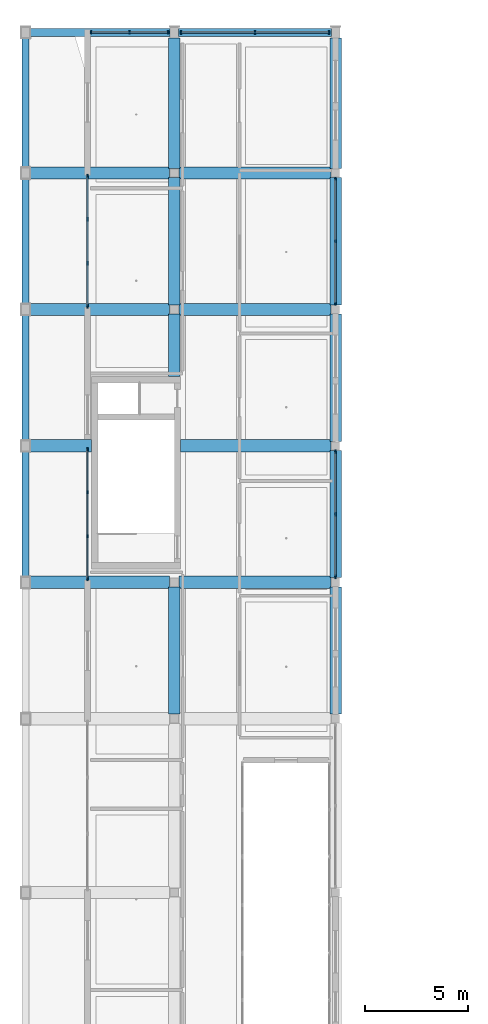
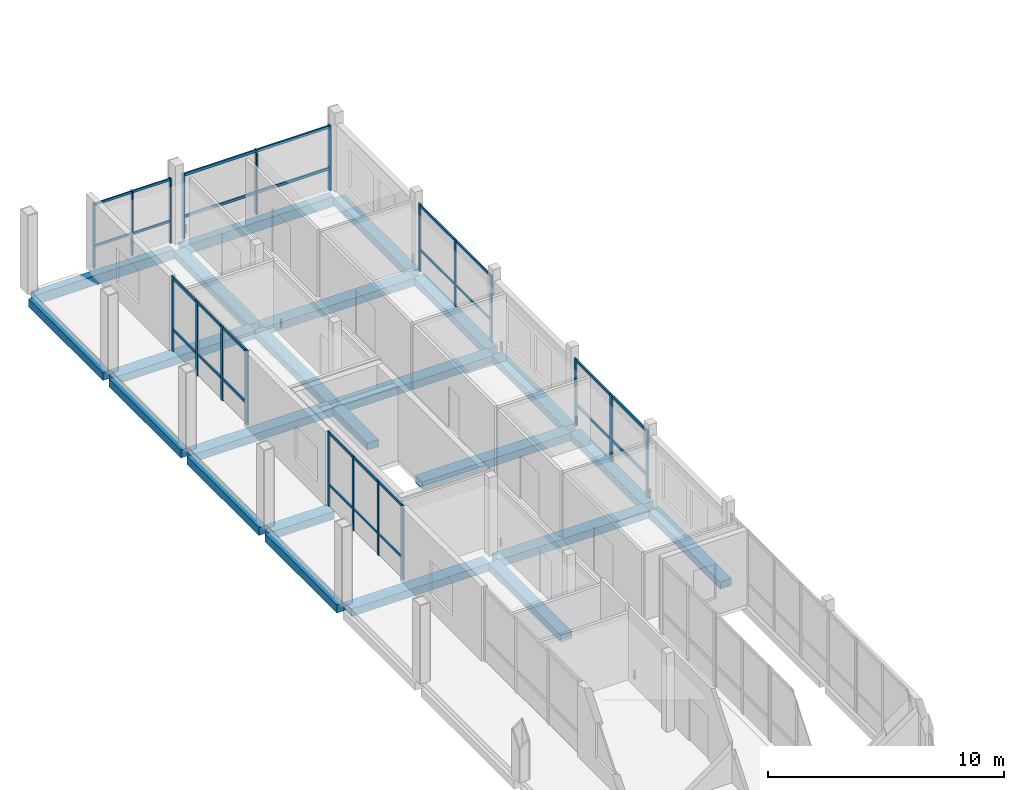
# One storey, part 5 of 24: 32 members, 23 beams, 6 elements without a shape of their own.
"""IFC4 building model written with IfcOpenShell, lengths in metres."""

from ifc_helpers import new_model, si_unit, derived_unit, direction, frame, origin, origin_2d, place, context, subcontext, project, spatial, rectangle, extrude, material, material_profile, profile_set, type_object, element, aggregate, save


model = new_model("IFC4")

# Units and contexts
model_context = context("Model", 3, precision=1e-05, world=origin(), true_north=direction((0.0, 1.0)))
body_context = subcontext(model_context, "Body", "Model", "MODEL_VIEW")
ifc_project = project(units=[si_unit("LENGTHUNIT", "METRE"), si_unit("AREAUNIT", "SQUARE_METRE"), si_unit("VOLUMEUNIT", "CUBIC_METRE"), si_unit("PLANEANGLEUNIT", "RADIAN"), si_unit("MASSUNIT", "GRAM", prefix="KILO"), derived_unit("THERMALTRANSMITTANCEUNIT", [(si_unit("POWERUNIT", "WATT"), 1), (si_unit("LENGTHUNIT", "METRE"), -2), (si_unit("THERMODYNAMICTEMPERATUREUNIT", "KELVIN"), -1)])], contexts=[model_context])

# Site, building, storey
site_placement = place(None, origin())
site = spatial("IfcSite", under=ifc_project, at=site_placement, CompositionType="ELEMENT")
building_placement = place(site_placement, origin())
building = spatial("IfcBuilding", under=site, at=building_placement, Name="Braskholm Square Health Centre", CompositionType="ELEMENT")
storey_placement = place(building_placement, frame((0.0, 0.0, 21.60009765625)))
storey = spatial("IfcBuildingStorey", under=building, at=storey_placement, Name="L06", CompositionType="ELEMENT", Elevation=21.60009765625)

# Curtain wall, members
ifc_material_1 = material(Name="Low-E triple insulating glass (VLT 0.64)", Category="glass")
curtain_wall_type_1 = type_object("IfcCurtainWallType", Name="UnitisedCurtainWall6200x3800", PredefinedType="NOTDEFINED", material=ifc_material_1)
curtain_wall_1_placement = place(storey_placement, origin())
curtain_wall_1 = element("IfcCurtainWall", 1, at=curtain_wall_1_placement, inside=storey, type_object=curtain_wall_type_1, Name="West Crown unitised curtain wall CW-L06-0044", PredefinedType="NOTDEFINED")
ifc_material_2 = material(Name="Architectural bronze anodised aluminium", Category="aluminium")
ifc_material_profile_1 = material_profile(ifc_material_2, rectangle(XDim=0.06494140625, YDim=0.14990234375, at=origin_2d()), Name="ALU-65X150")
ifc_profile_set_1 = profile_set([ifc_material_profile_1], Name="Architectural bronze anodised aluminium")
member_type_1 = type_object("IfcMemberType", Name="CurtainWallMullion65x150", PredefinedType="MULLION", material=ifc_profile_set_1)
member_1_placement = place(storey_placement, frame((7.199951171875, 93.641845703125, 0.0), z_axis=(0.0, 0.0, 1.0), x_axis=(1.0, 0.0, 0.0)))
member_1 = element("IfcMember", 2, at=member_1_placement, type_object=member_type_1, Name="CW-L06-0044 vertical mullion 1", PredefinedType="MULLION", context=body_context, shape_type="SweptSolid", body=[
    extrude(rectangle(XDim=0.06494140625, YDim=0.14990234375, at=origin_2d()), origin(), (0.0, 0.0, 1.0), 3.83984375),
])
member_2_placement = place(storey_placement, frame((7.199951171875, 91.56005859375, 0.0), z_axis=(0.0, 0.0, 1.0), x_axis=(1.0, 0.0, 0.0)))
member_2 = element("IfcMember", 3, at=member_2_placement, type_object=member_type_1, Name="CW-L06-0044 vertical mullion 2", PredefinedType="MULLION", context=body_context, shape_type="SweptSolid", body=[
    extrude(rectangle(XDim=0.06494140625, YDim=0.14990234375, at=origin_2d()), origin(), (0.0, 0.0, 1.0), 3.83984375),
])
member_3_placement = place(storey_placement, frame((7.199951171875, 89.43994140625, 0.0), z_axis=(0.0, 0.0, 1.0), x_axis=(1.0, 0.0, 0.0)))
member_3 = element("IfcMember", 4, at=member_3_placement, type_object=member_type_1, Name="CW-L06-0044 vertical mullion 3", PredefinedType="MULLION", context=body_context, shape_type="SweptSolid", body=[
    extrude(rectangle(XDim=0.06494140625, YDim=0.14990234375, at=origin_2d()), origin(), (0.0, 0.0, 1.0), 3.83984375),
])
member_4_placement = place(storey_placement, frame((7.199951171875, 87.358154296875, 0.0), z_axis=(0.0, 0.0, 1.0), x_axis=(1.0, 0.0, 0.0)))
member_4 = element("IfcMember", 5, at=member_4_placement, type_object=member_type_1, Name="CW-L06-0044 vertical mullion 4", PredefinedType="MULLION", context=body_context, shape_type="SweptSolid", body=[
    extrude(rectangle(XDim=0.06494140625, YDim=0.14990234375, at=origin_2d()), origin(), (0.0, 0.0, 1.0), 3.83984375),
])

curtain_wall_type_2 = type_object("IfcCurtainWallType", Name="UnitisedCurtainWall6200x3650", PredefinedType="NOTDEFINED", material=ifc_material_1)
curtain_wall_2_placement = place(storey_placement, origin())
curtain_wall_2 = element("IfcCurtainWall", 6, at=curtain_wall_2_placement, inside=storey, type_object=curtain_wall_type_2, Name="West Valley unitised curtain wall CW-L06-0116", PredefinedType="NOTDEFINED")
member_5_placement = place(storey_placement, frame((19.199951171875, 100.6767578125, 0.0), z_axis=(0.0, 0.0, 1.0), x_axis=(1.0, 0.0, 0.0)))
member_5 = element("IfcMember", 7, at=member_5_placement, type_object=member_type_1, Name="CW-L06-0116 vertical mullion 1", PredefinedType="MULLION", context=body_context, shape_type="SweptSolid", body=[
    extrude(rectangle(XDim=0.06494140625, YDim=0.14990234375, at=origin_2d()), origin(), (0.0, 0.0, 1.0), 3.4599609375),
])
member_6_placement = place(storey_placement, frame((19.199951171875, 103.699951171875, 0.0), z_axis=(0.0, 0.0, 1.0), x_axis=(1.0, 0.0, 0.0)))
member_6 = element("IfcMember", 8, at=member_6_placement, type_object=member_type_1, Name="CW-L06-0116 vertical mullion 2", PredefinedType="MULLION", context=body_context, shape_type="SweptSolid", body=[
    extrude(rectangle(XDim=0.06494140625, YDim=0.14990234375, at=origin_2d()), origin(), (0.0, 0.0, 1.0), 3.4599609375),
])
member_7_placement = place(storey_placement, frame((19.199951171875, 106.723388671875, 0.0), z_axis=(0.0, 0.0, 1.0), x_axis=(1.0, 0.0, 0.0)))
member_7 = element("IfcMember", 9, at=member_7_placement, type_object=member_type_1, Name="CW-L06-0116 vertical mullion 3", PredefinedType="MULLION", context=body_context, shape_type="SweptSolid", body=[
    extrude(rectangle(XDim=0.06494140625, YDim=0.14990234375, at=origin_2d()), origin(), (0.0, 0.0, 1.0), 3.4599609375),
])

curtain_wall_type_3 = type_object("IfcCurtainWallType", Name="UnitisedCurtainWall3600x3650", PredefinedType="NOTDEFINED", material=ifc_material_1)
curtain_wall_3_placement = place(storey_placement, origin())
curtain_wall_3 = element("IfcCurtainWall", 10, at=curtain_wall_3_placement, inside=storey, type_object=curtain_wall_type_3, Name="Wing End unitised curtain wall CW-L06-0158", PredefinedType="NOTDEFINED")
member_8_placement = place(storey_placement, frame((11.097412109375, 113.800048828125, 0.0), z_axis=(0.0, 0.0, 1.0), x_axis=(1.0, 0.0, 0.0)))
member_8 = element("IfcMember", 11, at=member_8_placement, type_object=member_type_1, Name="CW-L06-0158 vertical mullion 1", PredefinedType="MULLION", context=body_context, shape_type="SweptSolid", body=[
    extrude(rectangle(XDim=0.06494140625, YDim=0.14990234375, at=origin_2d()), origin(), (0.0, 0.0, 1.0), 3.33984375),
])
member_9_placement = place(storey_placement, frame((9.22998046875, 113.800048828125, 0.0), z_axis=(0.0, 0.0, 1.0), x_axis=(1.0, 0.0, 0.0)))
member_9 = element("IfcMember", 12, at=member_9_placement, type_object=member_type_1, Name="CW-L06-0158 vertical mullion 2", PredefinedType="MULLION", context=body_context, shape_type="SweptSolid", body=[
    extrude(rectangle(XDim=0.06494140625, YDim=0.14990234375, at=origin_2d()), origin(), (0.0, 0.0, 1.0), 3.33984375),
])
member_10_placement = place(storey_placement, frame((7.36279296875, 113.800048828125, 0.0), z_axis=(0.0, 0.0, 1.0), x_axis=(1.0, 0.0, 0.0)))
member_10 = element("IfcMember", 13, at=member_10_placement, type_object=member_type_1, Name="CW-L06-0158 vertical mullion 3", PredefinedType="MULLION", context=body_context, shape_type="SweptSolid", body=[
    extrude(rectangle(XDim=0.06494140625, YDim=0.14990234375, at=origin_2d()), origin(), (0.0, 0.0, 1.0), 3.33984375),
])

curtain_wall_4_placement = place(storey_placement, origin())
curtain_wall_4 = element("IfcCurtainWall", 14, at=curtain_wall_4_placement, inside=storey, type_object=curtain_wall_type_1, Name="West Crown unitised curtain wall CW-L06-0045", PredefinedType="NOTDEFINED")
ifc_material_profile_2 = material_profile(ifc_material_2, rectangle(XDim=0.074951171875, YDim=0.179931640625, at=origin_2d()), Name="ALU-75X180")
ifc_profile_set_2 = profile_set([ifc_material_profile_2], Name="Architectural bronze anodised aluminium")
member_type_2 = type_object("IfcMemberType", Name="CurtainWallMullion75x180", PredefinedType="MULLION", material=ifc_profile_set_2)
member_11_placement = place(storey_placement, frame((7.199951171875, 106.841796875, 0.0), z_axis=(0.0, 0.0, 1.0), x_axis=(1.0, 0.0, 0.0)))
member_11 = element("IfcMember", 15, at=member_11_placement, type_object=member_type_2, Name="CW-L06-0045 vertical mullion 1", PredefinedType="MULLION", context=body_context, shape_type="SweptSolid", body=[
    extrude(rectangle(XDim=0.074951171875, YDim=0.179931640625, at=origin_2d()), origin(), (0.0, 0.0, 1.0), 3.83984375),
])
member_12_placement = place(storey_placement, frame((7.199951171875, 104.760009765625, 0.0), z_axis=(0.0, 0.0, 1.0), x_axis=(1.0, 0.0, 0.0)))
member_12 = element("IfcMember", 16, at=member_12_placement, type_object=member_type_2, Name="CW-L06-0045 vertical mullion 2", PredefinedType="MULLION", context=body_context, shape_type="SweptSolid", body=[
    extrude(rectangle(XDim=0.074951171875, YDim=0.179931640625, at=origin_2d()), origin(), (0.0, 0.0, 1.0), 3.83984375),
])
member_13_placement = place(storey_placement, frame((7.199951171875, 102.639892578125, 0.0), z_axis=(0.0, 0.0, 1.0), x_axis=(1.0, 0.0, 0.0)))
member_13 = element("IfcMember", 17, at=member_13_placement, type_object=member_type_2, Name="CW-L06-0045 vertical mullion 3", PredefinedType="MULLION", context=body_context, shape_type="SweptSolid", body=[
    extrude(rectangle(XDim=0.074951171875, YDim=0.179931640625, at=origin_2d()), origin(), (0.0, 0.0, 1.0), 3.83984375),
])
member_14_placement = place(storey_placement, frame((7.199951171875, 100.55810546875, 0.0), z_axis=(0.0, 0.0, 1.0), x_axis=(1.0, 0.0, 0.0)))
member_14 = element("IfcMember", 18, at=member_14_placement, type_object=member_type_2, Name="CW-L06-0045 vertical mullion 4", PredefinedType="MULLION", context=body_context, shape_type="SweptSolid", body=[
    extrude(rectangle(XDim=0.074951171875, YDim=0.179931640625, at=origin_2d()), origin(), (0.0, 0.0, 1.0), 3.83984375),
])

curtain_wall_5_placement = place(storey_placement, origin())
curtain_wall_5 = element("IfcCurtainWall", 19, at=curtain_wall_5_placement, inside=storey, type_object=curtain_wall_type_2, Name="West Valley unitised curtain wall CW-L06-0115", PredefinedType="NOTDEFINED")
member_15_placement = place(storey_placement, frame((19.199951171875, 87.476806640625, 0.0), z_axis=(0.0, 0.0, 1.0), x_axis=(1.0, 0.0, 0.0)))
member_15 = element("IfcMember", 20, at=member_15_placement, type_object=member_type_2, Name="CW-L06-0115 vertical mullion 1", PredefinedType="MULLION", context=body_context, shape_type="SweptSolid", body=[
    extrude(rectangle(XDim=0.074951171875, YDim=0.179931640625, at=origin_2d()), origin(), (0.0, 0.0, 1.0), 3.4599609375),
])
member_16_placement = place(storey_placement, frame((19.199951171875, 90.5, 0.0), z_axis=(0.0, 0.0, 1.0), x_axis=(1.0, 0.0, 0.0)))
member_16 = element("IfcMember", 21, at=member_16_placement, type_object=member_type_2, Name="CW-L06-0115 vertical mullion 2", PredefinedType="MULLION", context=body_context, shape_type="SweptSolid", body=[
    extrude(rectangle(XDim=0.074951171875, YDim=0.179931640625, at=origin_2d()), origin(), (0.0, 0.0, 1.0), 3.4599609375),
])
member_17_placement = place(storey_placement, frame((19.199951171875, 93.523193359375, 0.0), z_axis=(0.0, 0.0, 1.0), x_axis=(1.0, 0.0, 0.0)))
member_17 = element("IfcMember", 22, at=member_17_placement, type_object=member_type_2, Name="CW-L06-0115 vertical mullion 3", PredefinedType="MULLION", context=body_context, shape_type="SweptSolid", body=[
    extrude(rectangle(XDim=0.074951171875, YDim=0.179931640625, at=origin_2d()), origin(), (0.0, 0.0, 1.0), 3.4599609375),
])

curtain_wall_6_placement = place(storey_placement, origin())
curtain_wall_6 = element("IfcCurtainWall", 23, at=curtain_wall_6_placement, inside=storey, type_object=curtain_wall_type_2, Name="Wing End unitised curtain wall CW-L06-0157", PredefinedType="NOTDEFINED")
member_18_placement = place(storey_placement, frame((18.876708984375, 113.800048828125, 0.0), z_axis=(0.0, 0.0, 1.0), x_axis=(1.0, 0.0, 0.0)))
member_18 = element("IfcMember", 24, at=member_18_placement, type_object=member_type_2, Name="CW-L06-0157 vertical mullion 1", PredefinedType="MULLION", context=body_context, shape_type="SweptSolid", body=[
    extrude(rectangle(XDim=0.074951171875, YDim=0.179931640625, at=origin_2d()), origin(), (0.0, 0.0, 1.0), 3.33984375),
])
member_19_placement = place(storey_placement, frame((15.300048828125, 113.800048828125, 0.0), z_axis=(0.0, 0.0, 1.0), x_axis=(1.0, 0.0, 0.0)))
member_19 = element("IfcMember", 25, at=member_19_placement, type_object=member_type_2, Name="CW-L06-0157 vertical mullion 2", PredefinedType="MULLION", context=body_context, shape_type="SweptSolid", body=[
    extrude(rectangle(XDim=0.074951171875, YDim=0.179931640625, at=origin_2d()), origin(), (0.0, 0.0, 1.0), 3.33984375),
])
member_20_placement = place(storey_placement, frame((11.723388671875, 113.800048828125, 0.0), z_axis=(0.0, 0.0, 1.0), x_axis=(1.0, 0.0, 0.0)))
member_20 = element("IfcMember", 26, at=member_20_placement, type_object=member_type_2, Name="CW-L06-0157 vertical mullion 3", PredefinedType="MULLION", context=body_context, shape_type="SweptSolid", body=[
    extrude(rectangle(XDim=0.074951171875, YDim=0.179931640625, at=origin_2d()), origin(), (0.0, 0.0, 1.0), 3.33984375),
])

# Member
ifc_material_profile_3 = material_profile(ifc_material_2, rectangle(XDim=0.06494140625, YDim=0.1201171875, at=origin_2d()), Name="ALU-65X120")
ifc_profile_set_3 = profile_set([ifc_material_profile_3], Name="Architectural bronze anodised aluminium")
member_type_3 = type_object("IfcMemberType", Name="CurtainWallTransom65x120", PredefinedType="USERDEFINED", material=ifc_profile_set_3)
member_21_placement = place(storey_placement, frame((7.199951171875, 93.635009765625, 1.119873046875), z_axis=(0.0, -1.0, 0.0), x_axis=(1.0, 0.0, 0.0)))
member_21 = element("IfcMember", 27, at=member_21_placement, type_object=member_type_3, Name="CW-L06-0044 horizontal transom 1", ObjectType="TRANSOM", PredefinedType="USERDEFINED", context=body_context, shape_type="SweptSolid", body=[
    extrude(rectangle(XDim=0.06494140625, YDim=0.1201171875, at=origin_2d()), origin(), (0.0, 0.0, 1.0), 6.27001953125),
])

member_22_placement = place(storey_placement, frame((7.199951171875, 93.635009765625, 3.77001953125), z_axis=(0.0, -1.0, 0.0), x_axis=(1.0, 0.0, 0.0)))
member_22 = element("IfcMember", 28, at=member_22_placement, type_object=member_type_3, Name="CW-L06-0044 horizontal transom 2", ObjectType="TRANSOM", PredefinedType="USERDEFINED", context=body_context, shape_type="SweptSolid", body=[
    extrude(rectangle(XDim=0.06494140625, YDim=0.1201171875, at=origin_2d()), origin(), (0.0, 0.0, 1.0), 6.27001953125),
])

aggregate(curtain_wall_1, [member_1, member_2, member_3, member_4, member_21, member_22])

member_23_placement = place(storey_placement, frame((19.199951171875, 100.68505859375, 1.119873046875), z_axis=(0.0, 1.0, 0.0), x_axis=(-1.0, 0.0, 0.0)))
member_23 = element("IfcMember", 29, at=member_23_placement, type_object=member_type_3, Name="CW-L06-0116 horizontal transom 1", ObjectType="TRANSOM", PredefinedType="USERDEFINED", context=body_context, shape_type="SweptSolid", body=[
    extrude(rectangle(XDim=0.06494140625, YDim=0.1201171875, at=origin_2d()), origin(), (0.0, 0.0, 1.0), 6.030029296875),
])

member_24_placement = place(storey_placement, frame((19.199951171875, 100.68505859375, 3.389892578125), z_axis=(0.0, 1.0, 0.0), x_axis=(-1.0, 0.0, 0.0)))
member_24 = element("IfcMember", 30, at=member_24_placement, type_object=member_type_3, Name="CW-L06-0116 horizontal transom 2", ObjectType="TRANSOM", PredefinedType="USERDEFINED", context=body_context, shape_type="SweptSolid", body=[
    extrude(rectangle(XDim=0.06494140625, YDim=0.1201171875, at=origin_2d()), origin(), (0.0, 0.0, 1.0), 6.030029296875),
])

aggregate(curtain_wall_2, [member_5, member_6, member_7, member_23, member_24])

member_25_placement = place(storey_placement, frame((11.074951171875, 113.800048828125, 1.119873046875), z_axis=(-1.0, 0.0, 0.0), x_axis=(0.0, -1.0, 0.0)))
member_25 = element("IfcMember", 31, at=member_25_placement, type_object=member_type_3, Name="CW-L06-0158 horizontal transom 1", ObjectType="TRANSOM", PredefinedType="USERDEFINED", context=body_context, shape_type="SweptSolid", body=[
    extrude(rectangle(XDim=0.06494140625, YDim=0.1201171875, at=origin_2d()), origin(), (0.0, 0.0, 1.0), 3.68994140625),
])

member_26_placement = place(storey_placement, frame((11.074951171875, 113.800048828125, 3.27001953125), z_axis=(-1.0, 0.0, 0.0), x_axis=(0.0, -1.0, 0.0)))
member_26 = element("IfcMember", 32, at=member_26_placement, type_object=member_type_3, Name="CW-L06-0158 horizontal transom 2", ObjectType="TRANSOM", PredefinedType="USERDEFINED", context=body_context, shape_type="SweptSolid", body=[
    extrude(rectangle(XDim=0.06494140625, YDim=0.1201171875, at=origin_2d()), origin(), (0.0, 0.0, 1.0), 3.68994140625),
])

aggregate(curtain_wall_3, [member_8, member_9, member_10, member_25, member_26])

ifc_material_profile_4 = material_profile(ifc_material_2, rectangle(XDim=0.074951171875, YDim=0.139892578125, at=origin_2d()), Name="ALU-75X140")
ifc_profile_set_4 = profile_set([ifc_material_profile_4], Name="Architectural bronze anodised aluminium")
member_type_4 = type_object("IfcMemberType", Name="CurtainWallTransom75x140", PredefinedType="USERDEFINED", material=ifc_profile_set_4)
member_27_placement = place(storey_placement, frame((7.199951171875, 106.8349609375, 1.119873046875), z_axis=(0.0, -1.0, 0.0), x_axis=(1.0, 0.0, 0.0)))
member_27 = element("IfcMember", 33, at=member_27_placement, type_object=member_type_4, Name="CW-L06-0045 horizontal transom 1", ObjectType="TRANSOM", PredefinedType="USERDEFINED", context=body_context, shape_type="SweptSolid", body=[
    extrude(rectangle(XDim=0.074951171875, YDim=0.139892578125, at=origin_2d()), origin(), (0.0, 0.0, 1.0), 6.27001953125),
])

member_28_placement = place(storey_placement, frame((7.199951171875, 106.8349609375, 3.77001953125), z_axis=(0.0, -1.0, 0.0), x_axis=(1.0, 0.0, 0.0)))
member_28 = element("IfcMember", 34, at=member_28_placement, type_object=member_type_4, Name="CW-L06-0045 horizontal transom 2", ObjectType="TRANSOM", PredefinedType="USERDEFINED", context=body_context, shape_type="SweptSolid", body=[
    extrude(rectangle(XDim=0.074951171875, YDim=0.139892578125, at=origin_2d()), origin(), (0.0, 0.0, 1.0), 6.27001953125),
])

aggregate(curtain_wall_4, [member_11, member_12, member_13, member_14, member_27, member_28])

member_29_placement = place(storey_placement, frame((19.199951171875, 87.485107421875, 1.119873046875), z_axis=(0.0, 1.0, 0.0), x_axis=(-1.0, 0.0, 0.0)))
member_29 = element("IfcMember", 35, at=member_29_placement, type_object=member_type_4, Name="CW-L06-0115 horizontal transom 1", ObjectType="TRANSOM", PredefinedType="USERDEFINED", context=body_context, shape_type="SweptSolid", body=[
    extrude(rectangle(XDim=0.074951171875, YDim=0.139892578125, at=origin_2d()), origin(), (0.0, 0.0, 1.0), 6.02978515625),
])

member_30_placement = place(storey_placement, frame((19.199951171875, 87.485107421875, 3.389892578125), z_axis=(0.0, 1.0, 0.0), x_axis=(-1.0, 0.0, 0.0)))
member_30 = element("IfcMember", 36, at=member_30_placement, type_object=member_type_4, Name="CW-L06-0115 horizontal transom 2", ObjectType="TRANSOM", PredefinedType="USERDEFINED", context=body_context, shape_type="SweptSolid", body=[
    extrude(rectangle(XDim=0.074951171875, YDim=0.139892578125, at=origin_2d()), origin(), (0.0, 0.0, 1.0), 6.02978515625),
])

aggregate(curtain_wall_5, [member_15, member_16, member_17, member_29, member_30])

member_31_placement = place(storey_placement, frame((18.875, 113.800048828125, 1.119873046875), z_axis=(-1.0, 0.0, 0.0), x_axis=(0.0, -1.0, 0.0)))
member_31 = element("IfcMember", 37, at=member_31_placement, type_object=member_type_4, Name="CW-L06-0157 horizontal transom 1", ObjectType="TRANSOM", PredefinedType="USERDEFINED", context=body_context, shape_type="SweptSolid", body=[
    extrude(rectangle(XDim=0.074951171875, YDim=0.139892578125, at=origin_2d()), origin(), (0.0, 0.0, 1.0), 7.14990234375),
])

member_32_placement = place(storey_placement, frame((18.875, 113.800048828125, 3.27001953125), z_axis=(-1.0, 0.0, 0.0), x_axis=(0.0, -1.0, 0.0)))
member_32 = element("IfcMember", 38, at=member_32_placement, type_object=member_type_4, Name="CW-L06-0157 horizontal transom 2", ObjectType="TRANSOM", PredefinedType="USERDEFINED", context=body_context, shape_type="SweptSolid", body=[
    extrude(rectangle(XDim=0.074951171875, YDim=0.139892578125, at=origin_2d()), origin(), (0.0, 0.0, 1.0), 7.14990234375),
])

aggregate(curtain_wall_6, [member_18, member_19, member_20, member_31, member_32])

# Beams
ifc_material_3 = material(Name="Concrete C35/45 (f'c = 35 MPa)", Category="concrete")
ifc_material_profile_5 = material_profile(ifc_material_3, rectangle(XDim=0.550048828125, YDim=0.3798828125, at=origin_2d()), Name="RCB-550X380")
ifc_profile_set_5 = profile_set([ifc_material_profile_5], Name="Concrete C35/45 (f'c = 35 MPa)")
beam_type_1 = type_object("IfcBeamType", Name="PrimaryBandBeam550x380", PredefinedType="BEAM", material=ifc_profile_set_5)
beam_1_placement = place(storey_placement, frame((11.39990234375, 80.824951171875, -0.47021484375), z_axis=(0.0, 1.0, 0.0), x_axis=(-1.0, 0.0, 0.0)))
element("IfcBeam", 39, at=beam_1_placement, inside=storey, type_object=beam_type_1, Name="Beam 2/M-N L06", PredefinedType="BEAM", context=body_context, shape_type="SweptSolid", body=[
    extrude(rectangle(XDim=0.550048828125, YDim=0.3798828125, at=origin_2d()), origin(), (0.0, 0.0, 1.0), 6.150146484375),
])
beam_2_placement = place(storey_placement, frame((11.39990234375, 97.14990234375, -0.47021484375), z_axis=(0.0, 1.0, 0.0), x_axis=(-1.0, 0.0, 0.0)))
element("IfcBeam", 40, at=beam_2_placement, inside=storey, type_object=beam_type_1, Name="Beam 2/N-Q L06", PredefinedType="BEAM", context=body_context, shape_type="SweptSolid", body=[
    extrude(rectangle(XDim=0.550048828125, YDim=0.3798828125, at=origin_2d()), origin(), (0.0, 0.0, 1.0), 3.025146484375),
])
beam_3_placement = place(storey_placement, frame((11.39990234375, 100.625, -0.47021484375), z_axis=(0.0, 1.0, 0.0), x_axis=(-1.0, 0.0, 0.0)))
element("IfcBeam", 41, at=beam_3_placement, inside=storey, type_object=beam_type_1, Name="Beam 2/Q-R L06", PredefinedType="BEAM", context=body_context, shape_type="SweptSolid", body=[
    extrude(rectangle(XDim=0.550048828125, YDim=0.3798828125, at=origin_2d()), origin(), (0.0, 0.0, 1.0), 6.14990234375),
])
beam_4_placement = place(storey_placement, frame((11.39990234375, 107.22509765625, -0.47021484375), z_axis=(0.0, 1.0, 0.0), x_axis=(-1.0, 0.0, 0.0)))
element("IfcBeam", 42, at=beam_4_placement, inside=storey, type_object=beam_type_1, Name="Beam 2/R-S L06", PredefinedType="BEAM", context=body_context, shape_type="SweptSolid", body=[
    extrude(rectangle(XDim=0.550048828125, YDim=0.3798828125, at=origin_2d()), origin(), (0.0, 0.0, 1.0), 6.31494140625),
])
beam_5_placement = place(storey_placement, frame((19.199951171875, 80.824951171875, -0.47021484375), z_axis=(0.0, 1.0, 0.0), x_axis=(-1.0, 0.0, 0.0)))
element("IfcBeam", 43, at=beam_5_placement, inside=storey, type_object=beam_type_1, Name="Beam 3/M-N L06", PredefinedType="BEAM", context=body_context, shape_type="SweptSolid", body=[
    extrude(rectangle(XDim=0.550048828125, YDim=0.3798828125, at=origin_2d()), origin(), (0.0, 0.0, 1.0), 6.150146484375),
])
beam_6_placement = place(storey_placement, frame((19.199951171875, 87.425048828125, -0.47021484375), z_axis=(0.0, 1.0, 0.0), x_axis=(-1.0, 0.0, 0.0)))
element("IfcBeam", 44, at=beam_6_placement, inside=storey, type_object=beam_type_1, Name="Beam 3/N-P L06", PredefinedType="BEAM", context=body_context, shape_type="SweptSolid", body=[
    extrude(rectangle(XDim=0.550048828125, YDim=0.3798828125, at=origin_2d()), origin(), (0.0, 0.0, 1.0), 6.14990234375),
])
beam_7_placement = place(storey_placement, frame((19.199951171875, 94.02490234375, -0.47021484375), z_axis=(0.0, 1.0, 0.0), x_axis=(-1.0, 0.0, 0.0)))
element("IfcBeam", 45, at=beam_7_placement, inside=storey, type_object=beam_type_1, Name="Beam 3/P-Q L06", PredefinedType="BEAM", context=body_context, shape_type="SweptSolid", body=[
    extrude(rectangle(XDim=0.550048828125, YDim=0.3798828125, at=origin_2d()), origin(), (0.0, 0.0, 1.0), 6.150146484375),
])
beam_8_placement = place(storey_placement, frame((19.199951171875, 100.625, -0.47021484375), z_axis=(0.0, 1.0, 0.0), x_axis=(-1.0, 0.0, 0.0)))
element("IfcBeam", 46, at=beam_8_placement, inside=storey, type_object=beam_type_1, Name="Beam 3/Q-R L06", PredefinedType="BEAM", context=body_context, shape_type="SweptSolid", body=[
    extrude(rectangle(XDim=0.550048828125, YDim=0.3798828125, at=origin_2d()), origin(), (0.0, 0.0, 1.0), 6.14990234375),
])
beam_9_placement = place(storey_placement, frame((19.199951171875, 107.22509765625, -0.47021484375), z_axis=(0.0, 1.0, 0.0), x_axis=(-1.0, 0.0, 0.0)))
element("IfcBeam", 47, at=beam_9_placement, inside=storey, type_object=beam_type_1, Name="Beam 3/R-S L06", PredefinedType="BEAM", context=body_context, shape_type="SweptSolid", body=[
    extrude(rectangle(XDim=0.550048828125, YDim=0.3798828125, at=origin_2d()), origin(), (0.0, 0.0, 1.0), 6.31494140625),
])
ifc_material_profile_6 = material_profile(ifc_material_3, rectangle(XDim=0.60009765625, YDim=0.39990234375, at=origin_2d()), Name="RCB-600X400")
ifc_profile_set_6 = profile_set([ifc_material_profile_6], Name="Concrete C35/45 (f'c = 35 MPa)")
beam_type_2 = type_object("IfcBeamType", Name="PrimaryBandBeam600x400", PredefinedType="BEAM", material=ifc_profile_set_6)
beam_10_placement = place(storey_placement, frame((4.409912109375, 87.199951171875, -0.47998046875), z_axis=(1.0, 0.0, 0.0), x_axis=(0.0, 1.0, 0.0)))
element("IfcBeam", 48, at=beam_10_placement, inside=storey, type_object=beam_type_2, Name="Beam 1-2/N L06", PredefinedType="BEAM", context=body_context, shape_type="SweptSolid", body=[
    extrude(rectangle(XDim=0.60009765625, YDim=0.39990234375, at=origin_2d()), origin(), (0.0, 0.0, 1.0), 6.76513671875),
])
beam_11_placement = place(storey_placement, frame((11.625, 87.199951171875, -0.47998046875), z_axis=(1.0, 0.0, 0.0), x_axis=(0.0, 1.0, 0.0)))
element("IfcBeam", 49, at=beam_11_placement, inside=storey, type_object=beam_type_2, Name="Beam 2-3/N L06", PredefinedType="BEAM", context=body_context, shape_type="SweptSolid", body=[
    extrude(rectangle(XDim=0.60009765625, YDim=0.39990234375, at=origin_2d()), origin(), (0.0, 0.0, 1.0), 7.35009765625),
])
beam_12_placement = place(storey_placement, frame((4.409912109375, 93.800048828125, -0.47998046875), z_axis=(1.0, 0.0, 0.0), x_axis=(0.0, 1.0, 0.0)))
element("IfcBeam", 50, at=beam_12_placement, inside=storey, type_object=beam_type_2, Name="Beam 1-3/P L06", PredefinedType="BEAM", context=body_context, shape_type="SweptSolid", body=[
    extrude(rectangle(XDim=0.60009765625, YDim=0.39990234375, at=origin_2d()), origin(), (0.0, 0.0, 1.0), 2.989990234375),
])
beam_13_placement = place(storey_placement, frame((11.699951171875, 93.800048828125, -0.47998046875), z_axis=(1.0, 0.0, 0.0), x_axis=(0.0, 1.0, 0.0)))
element("IfcBeam", 51, at=beam_13_placement, inside=storey, type_object=beam_type_2, Name="Beam 1-3/P L06", PredefinedType="BEAM", context=body_context, shape_type="SweptSolid", body=[
    extrude(rectangle(XDim=0.60009765625, YDim=0.39990234375, at=origin_2d()), origin(), (0.0, 0.0, 1.0), 7.275146484375),
])
beam_14_placement = place(storey_placement, frame((4.409912109375, 100.39990234375, -0.47998046875), z_axis=(1.0, 0.0, 0.0), x_axis=(0.0, 1.0, 0.0)))
element("IfcBeam", 52, at=beam_14_placement, inside=storey, type_object=beam_type_2, Name="Beam 1-2/Q L06", PredefinedType="BEAM", context=body_context, shape_type="SweptSolid", body=[
    extrude(rectangle(XDim=0.60009765625, YDim=0.39990234375, at=origin_2d()), origin(), (0.0, 0.0, 1.0), 6.76513671875),
])
beam_15_placement = place(storey_placement, frame((11.625, 100.39990234375, -0.47998046875), z_axis=(1.0, 0.0, 0.0), x_axis=(0.0, 1.0, 0.0)))
element("IfcBeam", 53, at=beam_15_placement, inside=storey, type_object=beam_type_2, Name="Beam 2-3/Q L06", PredefinedType="BEAM", context=body_context, shape_type="SweptSolid", body=[
    extrude(rectangle(XDim=0.60009765625, YDim=0.39990234375, at=origin_2d()), origin(), (0.0, 0.0, 1.0), 7.35009765625),
])
beam_16_placement = place(storey_placement, frame((4.409912109375, 107.0, -0.47998046875), z_axis=(1.0, 0.0, 0.0), x_axis=(0.0, 1.0, 0.0)))
element("IfcBeam", 54, at=beam_16_placement, inside=storey, type_object=beam_type_2, Name="Beam 1-2/R L06", PredefinedType="BEAM", context=body_context, shape_type="SweptSolid", body=[
    extrude(rectangle(XDim=0.60009765625, YDim=0.39990234375, at=origin_2d()), origin(), (0.0, 0.0, 1.0), 6.76513671875),
])
beam_17_placement = place(storey_placement, frame((11.625, 107.0, -0.47998046875), z_axis=(1.0, 0.0, 0.0), x_axis=(0.0, 1.0, 0.0)))
element("IfcBeam", 55, at=beam_17_placement, inside=storey, type_object=beam_type_2, Name="Beam 2-3/R L06", PredefinedType="BEAM", context=body_context, shape_type="SweptSolid", body=[
    extrude(rectangle(XDim=0.60009765625, YDim=0.39990234375, at=origin_2d()), origin(), (0.0, 0.0, 1.0), 7.35009765625),
])
ifc_material_4 = material(Name="Precast concrete C40/50 architectural white", Category="concrete")
ifc_material_profile_7 = material_profile(ifc_material_4, rectangle(XDim=0.340087890625, YDim=0.419921875, at=origin_2d()), Name="RCB-340X420")
ifc_profile_set_7 = profile_set([ifc_material_profile_7], Name="Precast concrete C40/50 architectural white")
beam_type_3 = type_object("IfcBeamType", Name="SpandrelCrownEdge340x420", PredefinedType="SPANDREL", material=ifc_profile_set_7)
beam_18_placement = place(storey_placement, frame((4.199951171875, 87.4599609375, -0.489990234375), z_axis=(0.0, 1.0, 0.0), x_axis=(-1.0, 0.0, 0.0)))
element("IfcBeam", 56, at=beam_18_placement, inside=storey, type_object=beam_type_3, Name="Beam 1/N-P L06", PredefinedType="SPANDREL", context=body_context, shape_type="SweptSolid", body=[
    extrude(rectangle(XDim=0.340087890625, YDim=0.419921875, at=origin_2d()), origin(), (0.0, 0.0, 1.0), 6.080078125),
])
beam_19_placement = place(storey_placement, frame((4.199951171875, 94.06005859375, -0.489990234375), z_axis=(0.0, 1.0, 0.0), x_axis=(-1.0, 0.0, 0.0)))
element("IfcBeam", 57, at=beam_19_placement, inside=storey, type_object=beam_type_3, Name="Beam 1/P-Q L06", PredefinedType="SPANDREL", context=body_context, shape_type="SweptSolid", body=[
    extrude(rectangle(XDim=0.340087890625, YDim=0.419921875, at=origin_2d()), origin(), (0.0, 0.0, 1.0), 6.079833984375),
])
beam_20_placement = place(storey_placement, frame((4.199951171875, 100.659912109375, -0.489990234375), z_axis=(0.0, 1.0, 0.0), x_axis=(-1.0, 0.0, 0.0)))
element("IfcBeam", 58, at=beam_20_placement, inside=storey, type_object=beam_type_3, Name="Beam 1/Q-R L06", PredefinedType="SPANDREL", context=body_context, shape_type="SweptSolid", body=[
    extrude(rectangle(XDim=0.340087890625, YDim=0.419921875, at=origin_2d()), origin(), (0.0, 0.0, 1.0), 6.080078125),
])
beam_21_placement = place(storey_placement, frame((4.199951171875, 107.260009765625, -0.489990234375), z_axis=(0.0, 1.0, 0.0), x_axis=(-1.0, 0.0, 0.0)))
element("IfcBeam", 59, at=beam_21_placement, inside=storey, type_object=beam_type_3, Name="Beam 1/R-S L06", PredefinedType="SPANDREL", context=body_context, shape_type="SweptSolid", body=[
    extrude(rectangle(XDim=0.340087890625, YDim=0.419921875, at=origin_2d()), origin(), (0.0, 0.0, 1.0), 6.280029296875),
])
ifc_material_profile_8 = material_profile(ifc_material_4, rectangle(XDim=0.3798828125, YDim=0.5, at=origin_2d()), Name="RCB-380X500")
ifc_profile_set_8 = profile_set([ifc_material_profile_8], Name="Precast concrete C40/50 architectural white")
beam_type_4 = type_object("IfcBeamType", Name="SpandrelPrecastEdge380x500", PredefinedType="SPANDREL", material=ifc_profile_set_8)
beam_22_placement = place(storey_placement, frame((4.409912109375, 113.800048828125, -0.530029296875), z_axis=(1.0, 0.0, 0.0), x_axis=(0.0, 1.0, 0.0)))
element("IfcBeam", 60, at=beam_22_placement, inside=storey, type_object=beam_type_4, Name="Beam 1-2/S L06", PredefinedType="SPANDREL", context=body_context, shape_type="SweptSolid", body=[
    extrude(rectangle(XDim=0.3798828125, YDim=0.5, at=origin_2d()), origin(), (0.0, 0.0, 1.0), 6.780029296875),
])
beam_23_placement = place(storey_placement, frame((11.610107421875, 113.800048828125, -0.530029296875), z_axis=(1.0, 0.0, 0.0), x_axis=(0.0, 1.0, 0.0)))
element("IfcBeam", 61, at=beam_23_placement, inside=storey, type_object=beam_type_4, Name="Beam 2-3/S L06", PredefinedType="SPANDREL", context=body_context, shape_type="SweptSolid", body=[
    extrude(rectangle(XDim=0.3798828125, YDim=0.5, at=origin_2d()), origin(), (0.0, 0.0, 1.0), 7.3798828125),
])

save(model, "model.ifc")
